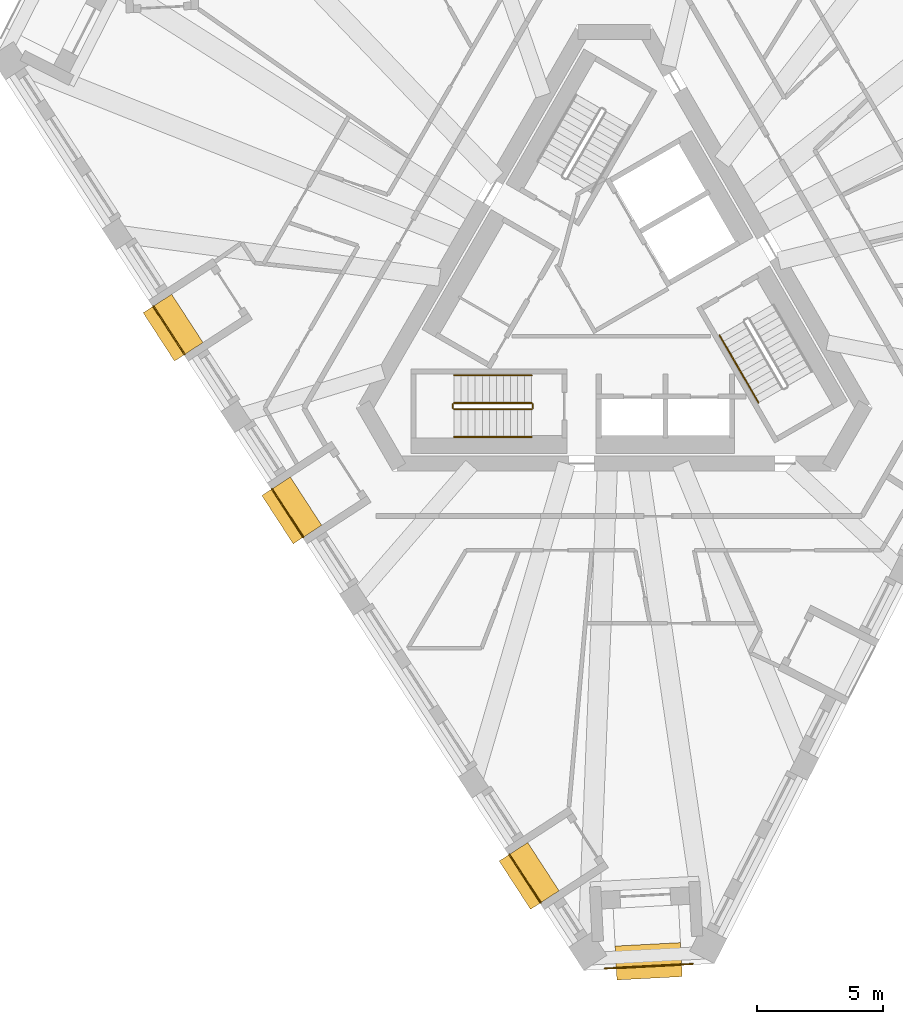
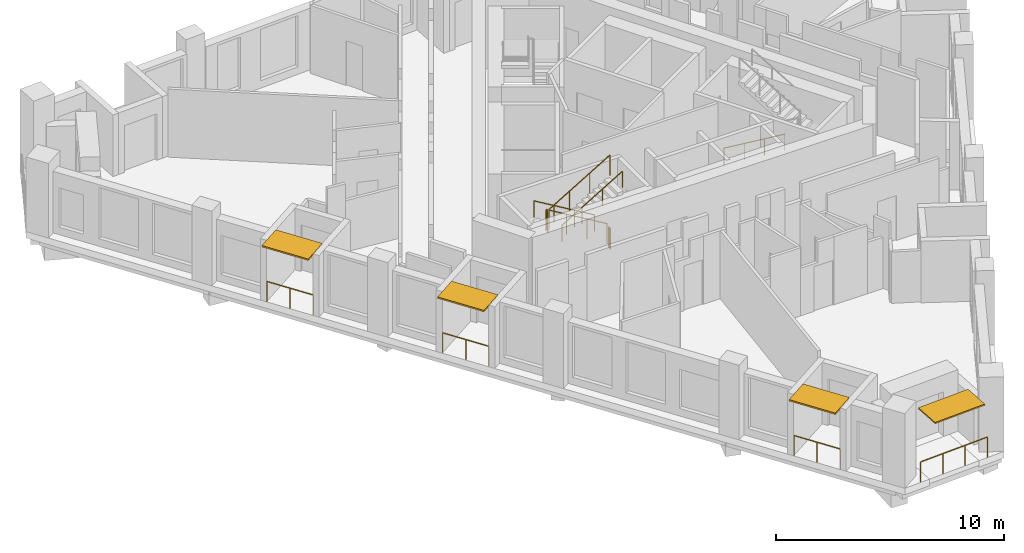
# One storey, part 10 of 13: 11 railings, 4 shading devices.
"""IFC4 building model written with IfcOpenShell, lengths in metres."""

from ifc_helpers import new_model, si_unit, direction, frame, origin, origin_2d, place, context, subcontext, project, spatial, rectangle, circle, extrude, material, layer, layer_set, type_object, element, save


model = new_model("IFC4")

# Units and contexts
model_context = context("Model", 3, precision=1e-05, world=origin(), true_north=direction((0.0, 1.0)))
body_context = subcontext(model_context, "Body", "Model", "MODEL_VIEW")
ifc_project = project(units=[si_unit("LENGTHUNIT", "METRE"), si_unit("AREAUNIT", "SQUARE_METRE"), si_unit("VOLUMEUNIT", "CUBIC_METRE"), si_unit("PLANEANGLEUNIT", "RADIAN"), si_unit("MASSUNIT", "GRAM", prefix="KILO")], contexts=[model_context])

# Site, building, storey
site_placement = place(None, origin())
site = spatial("IfcSite", under=ifc_project, at=site_placement, CompositionType="ELEMENT")
building_placement = place(site_placement, origin())
building = spatial("IfcBuilding", under=site, at=building_placement, Name="Tramontana Tower", CompositionType="ELEMENT")
storey_placement = place(building_placement, frame((0.0, 0.0, 294.39990234375)))
storey = spatial("IfcBuildingStorey", under=building, at=storey_placement, Name="L69", CompositionType="ELEMENT", Elevation=294.39990234375)

# Railings
ifc_material_1 = material(Name="Laminated glass balustrade", Category="glass")
railing_type_1 = type_object("IfcRailingType", Name="GD1 Loggia glass balustrade 1100", PredefinedType="BALUSTRADE", material=ifc_material_1)
railing_1_placement = place(storey_placement, frame((-18.313720703125, -0.20361328125, 0.0)))
element("IfcRailing", 1, at=railing_1_placement, inside=storey, type_object=railing_type_1, Name="Loggia balustrade L69 G7S0.4", PredefinedType="BALUSTRADE", context=body_context, shape_type="SweptSolid", body=[
    extrude(circle(Radius=0.02392578125, at=origin_2d()), frame((0.0, 0.0, 1.076171875), z_axis=(0.544706869801, -0.83862651162, 0.0), x_axis=(0.83862651162, 0.544706869801, 0.0)), (0.0, 0.0, 1.0), 2.286865234375),
    extrude(circle(Radius=0.02099609375, at=origin_2d()), origin(), (0.0, 0.0, 1.0), 1.052001953125),
    extrude(circle(Radius=0.02099609375, at=origin_2d()), frame((0.622802734375, -0.958984375, 0.0)), (0.0, 0.0, 1.0), 1.052001953125),
    extrude(circle(Radius=0.02099609375, at=origin_2d()), frame((1.24560546875, -1.917724609375, 0.0)), (0.0, 0.0, 1.0), 1.052001953125),
])
railing_2_placement = place(storey_placement, frame((-13.596923828125, -7.466552734375, 0.0)))
element("IfcRailing", 2, at=railing_2_placement, inside=storey, type_object=railing_type_1, Name="Loggia balustrade L69 G7S0.7", PredefinedType="BALUSTRADE", context=body_context, shape_type="SweptSolid", body=[
    extrude(circle(Radius=0.02392578125, at=origin_2d()), frame((0.0, 0.0, 1.076171875), z_axis=(0.544583011522, -0.838706947367, 0.0), x_axis=(0.838706947367, 0.544583011522, 0.0)), (0.0, 0.0, 1.0), 2.286865234375),
    extrude(circle(Radius=0.02099609375, at=origin_2d()), origin(), (0.0, 0.0, 1.0), 1.052001953125),
    extrude(circle(Radius=0.02099609375, at=origin_2d()), frame((0.62255859375, -0.958984375, 0.0)), (0.0, 0.0, 1.0), 1.052001953125),
    extrude(circle(Radius=0.02099609375, at=origin_2d()), frame((1.245361328125, -1.91796875, 0.0)), (0.0, 0.0, 1.0), 1.052001953125),
])
railing_3_placement = place(storey_placement, frame((-4.16357421875, -21.992919921875, 0.0)))
element("IfcRailing", 3, at=railing_3_placement, inside=storey, type_object=railing_type_1, Name="Loggia balustrade L69 G7S0.13", PredefinedType="BALUSTRADE", context=body_context, shape_type="SweptSolid", body=[
    extrude(circle(Radius=0.02392578125, at=origin_2d()), frame((0.0, 0.0, 1.076171875), z_axis=(0.544706869801, -0.83862651162, 0.0), x_axis=(0.83862651162, 0.544706869801, 0.0)), (0.0, 0.0, 1.0), 2.286865234375),
    extrude(circle(Radius=0.02099609375, at=origin_2d()), origin(), (0.0, 0.0, 1.0), 1.052001953125),
    extrude(circle(Radius=0.02099609375, at=origin_2d()), frame((0.622802734375, -0.958984375, 0.0)), (0.0, 0.0, 1.0), 1.052001953125),
    extrude(circle(Radius=0.02099609375, at=origin_2d()), frame((1.24560546875, -1.917724609375, 0.0)), (0.0, 0.0, 1.0), 1.052001953125),
])
railing_4_placement = place(storey_placement, frame((3.1328125, -26.342041015625, 0.0)))
element("IfcRailing", 4, at=railing_4_placement, inside=storey, type_object=railing_type_1, Name="Corner loggia balustrade L69 K71", PredefinedType="BALUSTRADE", context=body_context, shape_type="SweptSolid", body=[
    extrude(circle(Radius=0.02392578125, at=origin_2d()), frame((0.0, 0.0, 1.076171875), z_axis=(-0.998626871225, -0.0523867547, 0.0), x_axis=(0.0523867547, -0.998626871225, 0.0)), (0.0, 0.0, 1.0), 3.5),
    extrude(circle(Radius=0.02099609375, at=origin_2d()), origin(), (0.0, 0.0, 1.0), 1.052001953125),
    extrude(circle(Radius=0.02099609375, at=origin_2d()), frame((-1.1650390625, -0.06103515625, 0.0)), (0.0, 0.0, 1.0), 1.052001953125),
    extrude(circle(Radius=0.02099609375, at=origin_2d()), frame((-2.330078125, -0.122314453125, 0.0)), (0.0, 0.0, 1.0), 1.052001953125),
    extrude(circle(Radius=0.02099609375, at=origin_2d()), frame((-3.4951171875, -0.183349609375, 0.0)), (0.0, 0.0, 1.0), 1.052001953125),
])

# Shading devices
ifc_material_2 = material(Name="Precast concrete 60 MPa", Category="concrete")
ifc_layer_1 = layer(ifc_material_2, 0.070068359375)
ifc_layer_set_1 = layer_set([ifc_layer_1], Name="SS2 Stone sunshade blade 70")
shading_device_type_1 = type_object("IfcShadingDeviceType", Name="SS2 Stone sunshade blade 70", PredefinedType="USERDEFINED", material=ifc_layer_set_1)
shading_device_placement = place(storey_placement, frame((1.375244140625, -26.239013671875, 3.22998046875), z_axis=(0.0, 0.0, 1.0), x_axis=(-0.998629534755, -0.052335956243, 0.0)))
element("IfcShadingDevice", 5, at=shading_device_placement, inside=storey, type_object=shading_device_type_1, Name="Corner sunshade L69 K71", ObjectType="SUNSHADE", PredefinedType="USERDEFINED", context=body_context, shape_type="SweptSolid", body=[
    extrude(rectangle(XDim=2.60009765625, YDim=1.35009765625, at=origin_2d()), origin(), (0.0, 0.0, 1.0), 0.070068359375),
])
ifc_material_3 = material(Name="Precast concrete 60 MPa", Category="concrete")
ifc_layer_2 = layer(ifc_material_3, 0.080078125)
ifc_layer_set_2 = layer_set([ifc_layer_2], Name="SS3 Stone sunshade blade 80")
shading_device_type_2 = type_object("IfcShadingDeviceType", Name="SS3 Stone sunshade blade 80", PredefinedType="USERDEFINED", material=ifc_layer_set_2)
for number, where, z_axis, x_axis, name in (
    (6, (-17.52734375, -1.05615234375, 3.219970703125), (0.0, 0.0, 1.0), (0.544639035015, -0.838670567945, 0.0), "Sunshade L69 G7S0.4"),
    (7, (-12.810791015625, -8.3193359375, 3.219970703125), (0.0, 0.0, 1.0), (0.544639035015, -0.838670567945, 0.0), "Sunshade L69 G7S0.7"),
    (8, (-3.377197265625, -22.845458984375, 3.219970703125), (0.0, 0.0, 1.0), (0.544639035015, -0.838670567945, 0.0), "Sunshade L69 G7S0.13"),
):
    element("IfcShadingDevice", number, at=place(storey_placement, frame(where, z_axis=z_axis, x_axis=x_axis)), inside=storey, type_object=shading_device_type_2, Name=name, ObjectType="SUNSHADE", PredefinedType="USERDEFINED", context=body_context, shape_type="SweptSolid", body=[
        extrude(rectangle(XDim=2.286865234375, YDim=1.35009765625, at=origin_2d()), origin(), (0.0, 0.0, 1.0), 0.080078125),
    ])

# Railings
ifc_material_4 = material(Name="Painted steel", Category="steel")
railing_type_2 = type_object("IfcRailingType", Name="STAIR GUARD 1100", PredefinedType="GUARDRAIL", material=ifc_material_4)
railing_5_placement = place(storey_placement, frame((-3.280029296875, -4.050048828125, 0.166748046875)))
element("IfcRailing", 9, at=railing_5_placement, inside=storey, type_object=railing_type_2, Name="L69 ST2 stair guard 1", PredefinedType="GUARDRAIL", context=body_context, shape_type="SweptSolid", body=[
    extrude(circle(Radius=0.02392578125, at=origin_2d()), frame((0.0, 0.0, 1.076171875), z_axis=(-0.859308565015, 0.0, 0.511457515432), x_axis=(0.0, -1.0, 0.0)), (0.0, 0.0, 1.0), 3.58447265625),
    extrude(circle(Radius=0.02099609375, at=origin_2d()), origin(), (0.0, 0.0, 1.0), 1.052001953125),
    extrude(circle(Radius=0.02099609375, at=origin_2d()), frame((-1.026611328125, 0.0, 0.611083984375)), (0.0, 0.0, 1.0), 1.052001953125),
    extrude(circle(Radius=0.02099609375, at=origin_2d()), frame((-2.053466796875, 0.0, 1.22216796875)), (0.0, 0.0, 1.0), 1.052001953125),
    extrude(circle(Radius=0.02099609375, at=origin_2d()), frame((-3.080078125, 0.0, 1.833251953125)), (0.0, 0.0, 1.0), 1.052001953125),
])
railing_6_placement = place(storey_placement, frame((-6.360107421875, -4.300048828125, 2.166748046875)))
element("IfcRailing", 10, at=railing_6_placement, inside=storey, type_object=railing_type_2, Name="L69 ST2 stair guard 2", PredefinedType="GUARDRAIL", context=body_context, shape_type="SweptSolid", body=[
    extrude(circle(Radius=0.02392578125, at=origin_2d()), frame((0.0, 0.0, 1.076171875), z_axis=(0.859308565015, 0.0, 0.511457515432), x_axis=(0.0, 1.0, 0.0)), (0.0, 0.0, 1.0), 3.58447265625),
    extrude(circle(Radius=0.02099609375, at=origin_2d()), origin(), (0.0, 0.0, 1.0), 1.052001953125),
    extrude(circle(Radius=0.02099609375, at=origin_2d()), frame((1.026611328125, 0.0, 0.611083984375)), (0.0, 0.0, 1.0), 1.052001953125),
    extrude(circle(Radius=0.02099609375, at=origin_2d()), frame((2.053466796875, 0.0, 1.22216796875)), (0.0, 0.0, 1.0), 1.052001953125),
    extrude(circle(Radius=0.02099609375, at=origin_2d()), frame((3.080078125, 0.0, 1.833251953125)), (0.0, 0.0, 1.0), 1.052001953125),
])
for number, where, name in (
    (11, (-6.409912109375, -4.10009765625, 2.0), "L69 ST2 stair guard 3"),
    (12, (-3.22998046875, -4.10009765625, 0.0), "L69 ST2 stair guard 4"),
):
    element("IfcRailing", number, at=place(storey_placement, frame(where)), inside=storey, type_object=railing_type_2, Name=name, PredefinedType="GUARDRAIL", context=body_context, shape_type="SweptSolid", body=[
        extrude(circle(Radius=0.02392578125, at=origin_2d()), frame((0.0, 0.0, 1.076171875), z_axis=(0.0, -1.0, 0.0), x_axis=(1.0, 0.0, 0.0)), (0.0, 0.0, 1.0), 0.14990234375),
        extrude(circle(Radius=0.02099609375, at=origin_2d()), origin(), (0.0, 0.0, 1.0), 1.052001953125),
        extrude(circle(Radius=0.02099609375, at=origin_2d()), frame((0.0, -0.14990234375, 0.0)), (0.0, 0.0, 1.0), 1.052001953125),
    ])
ifc_material_5 = material(Name="Painted steel", Category="steel")
railing_type_3 = type_object("IfcRailingType", Name="STAIR HANDRAIL 900", PredefinedType="HANDRAIL", material=ifc_material_5)
railing_7_placement = place(storey_placement, frame((-3.280029296875, -2.949951171875, 0.166748046875)))
element("IfcRailing", 13, at=railing_7_placement, inside=storey, type_object=railing_type_3, Name="L69 ST2 stair handrail 1", PredefinedType="HANDRAIL", context=body_context, shape_type="SweptSolid", body=[
    extrude(circle(Radius=0.02392578125, at=origin_2d()), frame((0.0, 0.0, 0.8759765625), z_axis=(-0.859308565015, 0.0, 0.511457515432), x_axis=(0.0, -1.0, 0.0)), (0.0, 0.0, 1.0), 3.58447265625),
    extrude(circle(Radius=0.02099609375, at=origin_2d()), origin(), (0.0, 0.0, 1.0), 0.851806640625),
    extrude(circle(Radius=0.02099609375, at=origin_2d()), frame((-1.026611328125, 0.0, 0.611083984375)), (0.0, 0.0, 1.0), 0.851806640625),
    extrude(circle(Radius=0.02099609375, at=origin_2d()), frame((-2.053466796875, 0.0, 1.22216796875)), (0.0, 0.0, 1.0), 0.851806640625),
    extrude(circle(Radius=0.02099609375, at=origin_2d()), frame((-3.080078125, 0.0, 1.833251953125)), (0.0, 0.0, 1.0), 0.851806640625),
])
railing_8_placement = place(storey_placement, frame((-6.360107421875, -5.39990234375, 2.166748046875)))
element("IfcRailing", 14, at=railing_8_placement, inside=storey, type_object=railing_type_3, Name="L69 ST2 stair handrail 2", PredefinedType="HANDRAIL", context=body_context, shape_type="SweptSolid", body=[
    extrude(circle(Radius=0.02392578125, at=origin_2d()), frame((0.0, 0.0, 0.8759765625), z_axis=(0.859308565015, 0.0, 0.511457515432), x_axis=(0.0, 1.0, 0.0)), (0.0, 0.0, 1.0), 3.58447265625),
    extrude(circle(Radius=0.02099609375, at=origin_2d()), origin(), (0.0, 0.0, 1.0), 0.851806640625),
    extrude(circle(Radius=0.02099609375, at=origin_2d()), frame((1.026611328125, 0.0, 0.611083984375)), (0.0, 0.0, 1.0), 0.851806640625),
    extrude(circle(Radius=0.02099609375, at=origin_2d()), frame((2.053466796875, 0.0, 1.22216796875)), (0.0, 0.0, 1.0), 0.851806640625),
    extrude(circle(Radius=0.02099609375, at=origin_2d()), frame((3.080078125, 0.0, 1.833251953125)), (0.0, 0.0, 1.0), 0.851806640625),
])
railing_9_placement = place(storey_placement, frame((4.19482421875, -1.365478515625, 0.166748046875)))
element("IfcRailing", 15, at=railing_9_placement, inside=storey, type_object=railing_type_3, Name="L69 ST3 stair handrail 1", PredefinedType="HANDRAIL", context=body_context, shape_type="SweptSolid", body=[
    extrude(circle(Radius=0.02392578125, at=origin_2d()), frame((0.0, 0.0, 0.8759765625), z_axis=(0.429649414936, -0.744189839504, 0.511451721109), x_axis=(0.866029832698, 0.499992328818, 0.0)), (0.0, 0.0, 1.0), 3.58447265625),
    extrude(circle(Radius=0.02099609375, at=origin_2d()), origin(), (0.0, 0.0, 1.0), 0.851806640625),
    extrude(circle(Radius=0.02099609375, at=origin_2d()), frame((0.513427734375, -0.88916015625, 0.611083984375)), (0.0, 0.0, 1.0), 0.851806640625),
    extrude(circle(Radius=0.02099609375, at=origin_2d()), frame((1.026611328125, -1.7783203125, 1.22216796875)), (0.0, 0.0, 1.0), 0.851806640625),
    extrude(circle(Radius=0.02099609375, at=origin_2d()), frame((1.5400390625, -2.66748046875, 1.833251953125)), (0.0, 0.0, 1.0), 0.851806640625),
])

save(model, "model.ifc")
